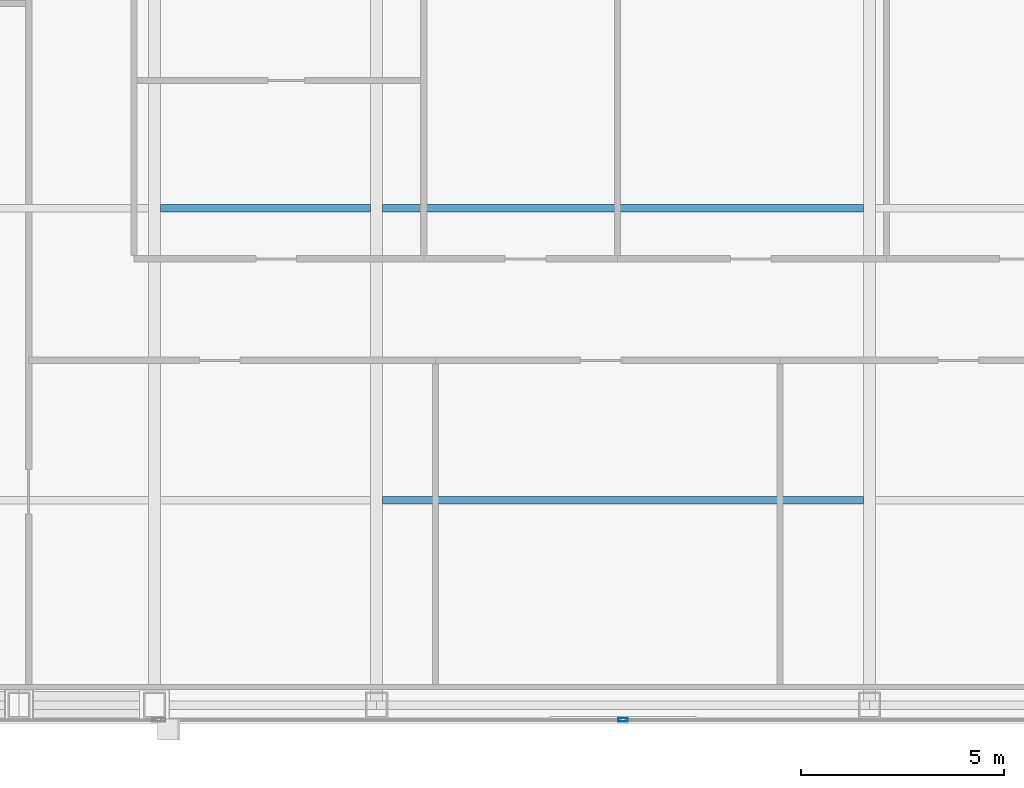
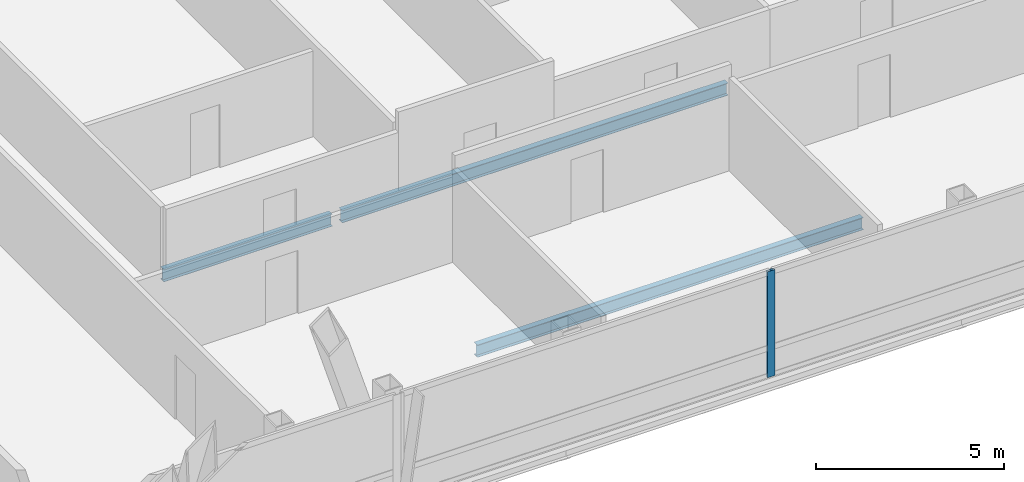
# One storey, part 7 of 28: 3 beams, 1 member, 1 element without a shape of its own.
"""IFC4 building model written with IfcOpenShell, lengths in metres."""

from ifc_helpers import new_model, si_unit, direction, frame, origin, origin_2d, place, context, subcontext, project, spatial, hollow_rectangle, i_section, extrude, material, material_profile, profile_set, type_object, element, aggregate, save


model = new_model("IFC4")

# Units and contexts
model_context = context("Model", 3, precision=1e-05, world=origin(), true_north=direction((0.0, 1.0)))
body_context = subcontext(model_context, "Body", "Model", "MODEL_VIEW")
ifc_project = project(units=[si_unit("LENGTHUNIT", "METRE"), si_unit("AREAUNIT", "SQUARE_METRE"), si_unit("VOLUMEUNIT", "CUBIC_METRE"), si_unit("PLANEANGLEUNIT", "RADIAN"), si_unit("MASSUNIT", "GRAM", prefix="KILO")], contexts=[model_context])

# Site, building, storey
site_placement = place(None, origin())
site = spatial("IfcSite", under=ifc_project, at=site_placement, CompositionType="ELEMENT")
building_placement = place(site_placement, origin())
building = spatial("IfcBuilding", under=site, at=building_placement, Name="Khoronbel Lancet Exchange", CompositionType="ELEMENT")
storey_placement = place(building_placement, frame((0.0, 0.0, 291.39990234375)))
storey = spatial("IfcBuildingStorey", under=building, at=storey_placement, Name="L75", CompositionType="ELEMENT", Elevation=291.39990234375)

# Beams
ifc_material_1 = material(Name="Steel S355", Category="steel")
ifc_material_profile_1 = material_profile(ifc_material_1, i_section(OverallWidth=0.179931640625, OverallDepth=0.39990234375, WebThickness=0.008544921875, FlangeThickness=0.013427734375, at=origin_2d()), Name="IPE 400")
ifc_profile_set_1 = profile_set([ifc_material_profile_1], Name="Steel S355")
beam_type = type_object("IfcBeamType", Name="BM-BJ5", PredefinedType="JOIST", material=ifc_profile_set_1)
beam_1_placement = place(storey_placement, frame((30.52490234375, 15.199951171875, -0.35986328125), z_axis=(1.0, 0.0, 0.0), x_axis=(0.0, 1.0, 0.0)))
element("IfcBeam", 1, at=beam_1_placement, inside=storey, type_object=beam_type, Name="Level L75 secondary composite joist J03", PredefinedType="JOIST", context=body_context, shape_type="SweptSolid", body=[
    extrude(i_section(OverallWidth=0.179931640625, OverallDepth=0.39990234375, WebThickness=0.008544921875, FlangeThickness=0.013427734375, at=origin_2d()), origin(), (0.0, 0.0, 1.0), 11.85009765625),
])
beam_2_placement = place(storey_placement, frame((25.050048828125, 22.39990234375, -0.35986328125), z_axis=(1.0, 0.0, 0.0), x_axis=(0.0, 1.0, 0.0)))
element("IfcBeam", 2, at=beam_2_placement, inside=storey, type_object=beam_type, Name="Level L75 secondary composite joist J07", PredefinedType="JOIST", context=body_context, shape_type="SweptSolid", body=[
    extrude(i_section(OverallWidth=0.179931640625, OverallDepth=0.39990234375, WebThickness=0.008544921875, FlangeThickness=0.013427734375, at=origin_2d()), origin(), (0.0, 0.0, 1.0), 5.175048828125),
])
beam_3_placement = place(storey_placement, frame((30.52490234375, 22.39990234375, -0.35986328125), z_axis=(1.0, 0.0, 0.0), x_axis=(0.0, 1.0, 0.0)))
element("IfcBeam", 3, at=beam_3_placement, inside=storey, type_object=beam_type, Name="Level L75 secondary composite joist J08", PredefinedType="JOIST", context=body_context, shape_type="SweptSolid", body=[
    extrude(i_section(OverallWidth=0.179931640625, OverallDepth=0.39990234375, WebThickness=0.008544921875, FlangeThickness=0.013427734375, at=origin_2d()), origin(), (0.0, 0.0, 1.0), 11.85009765625),
])

# Curtain wall, member
ifc_material_2 = material(Name="Low-E Solar Control Insulating Glass", Category="glass")
curtain_wall_type = type_object("IfcCurtainWallType", Name="CW-3", PredefinedType="NOTDEFINED", material=ifc_material_2)
curtain_wall_placement = place(storey_placement, origin())
curtain_wall = element("IfcCurtainWall", 4, at=curtain_wall_placement, inside=storey, type_object=curtain_wall_type, Name="Unitised curtain wall CW-L75-SCV", PredefinedType="NOTDEFINED")
ifc_material_3 = material(Name="Bronze-Anodised Aluminium 6063-T6", Category="aluminium")
ifc_material_profile_2 = material_profile(ifc_material_3, hollow_rectangle(XDim=0.0849609375, YDim=0.239990234375, WallThickness=0.006103515625, at=origin_2d()), Name="ALU MULLION 85x240")
ifc_profile_set_2 = profile_set([ifc_material_profile_2], Name="Bronze-Anodised Aluminium 6063-T6")
member_type = type_object("IfcMemberType", Name="MEM-CWM1", PredefinedType="MULLION", material=ifc_profile_set_2)
member_placement = place(storey_placement, frame((36.449951171875, 9.7900390625, 0.0), z_axis=(0.0, 0.0, 1.0), x_axis=(0.0, 1.0, 0.0)))
member = element("IfcMember", 5, at=member_placement, type_object=member_type, Name="CW3 mullion 2", PredefinedType="MULLION", context=body_context, shape_type="SweptSolid", body=[
    extrude(hollow_rectangle(XDim=0.0849609375, YDim=0.239990234375, WallThickness=0.006103515625, at=origin_2d()), origin(), (0.0, 0.0, 1.0), 3.440185546875),
])
aggregate(curtain_wall, [member])

save(model, "model.ifc")
